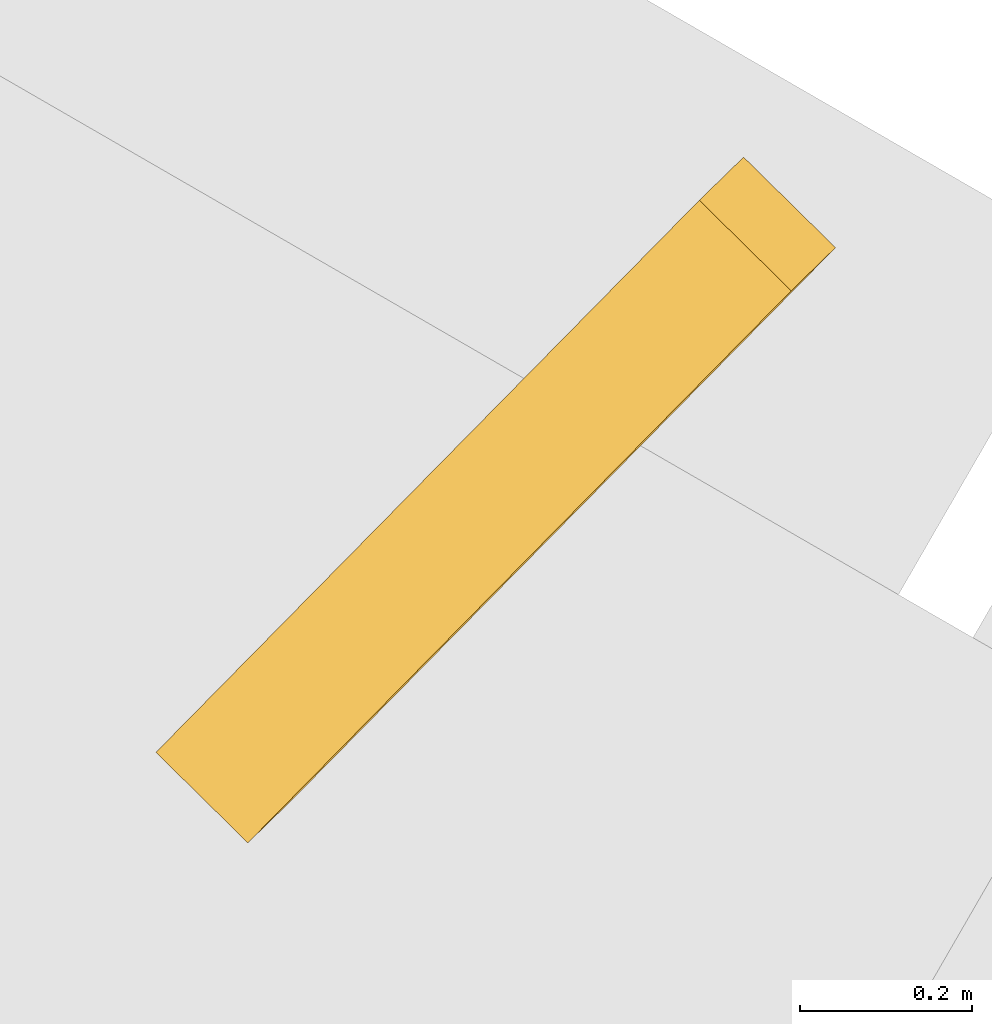
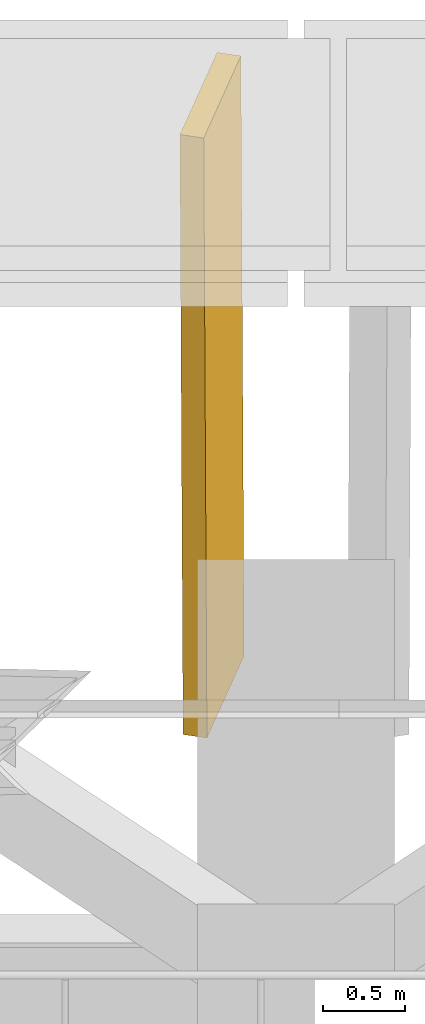
# One storey, part 16 of 16: 1 shading device.
"""IFC4 building model written with IfcOpenShell, lengths in metres."""

from ifc_helpers import new_model, si_unit, direction, frame, origin, place, context, subcontext, project, spatial, polyline, outline, extrude, material, layer, layer_set, type_object, element, save


model = new_model("IFC4")

# Units and contexts
model_context = context("Model", 3, precision=1e-05, world=origin(), true_north=direction((0.0, 1.0)))
body_context = subcontext(model_context, "Body", "Model", "MODEL_VIEW")
ifc_project = project(units=[si_unit("LENGTHUNIT", "METRE"), si_unit("AREAUNIT", "SQUARE_METRE"), si_unit("VOLUMEUNIT", "CUBIC_METRE"), si_unit("PLANEANGLEUNIT", "RADIAN"), si_unit("MASSUNIT", "GRAM", prefix="KILO")], contexts=[model_context])

# Site, building, storey
site_placement = place(None, origin())
site = spatial("IfcSite", under=ifc_project, at=site_placement, CompositionType="ELEMENT")
building_placement = place(site_placement, origin())
building = spatial("IfcBuilding", under=site, at=building_placement, Name="Ayvan Gate Tower", CompositionType="ELEMENT")
storey_placement = place(building_placement, frame((0.0, 0.0, 78.300048828125)))
storey = spatial("IfcBuildingStorey", under=building, at=storey_placement, Name="L20", CompositionType="ELEMENT", Elevation=78.300048828125)

# Shading device
ifc_material = material(Name="Bronze anodised aluminium", Category="aluminium")
ifc_layer = layer(ifc_material, 0.14990234375)
ifc_layer_set = layer_set([ifc_layer], Name="Bronze anodised aluminium")
shading_device_type = type_object("IfcShadingDeviceType", Name="Bronze fin 900 x 150", PredefinedType="USERDEFINED", material=ifc_layer_set)
shading_device_placement = place(storey_placement, frame((9.236572265625, 21.409912109375, 0.0), z_axis=(0.712712804108, -0.701455874947, 0.000338173794), x_axis=(0.701455915065, 0.712712844854, -3.2175e-08)))
element("IfcShadingDevice", 1, at=shading_device_placement, inside=storey, type_object=shading_device_type, Name="Bronze fin FG06.11.90", ObjectType="FIN", PredefinedType="USERDEFINED", context=body_context, shape_type="SweptSolid", body=[
    extrude(outline(polyline([(0.0, 0.0), (0.8999662206519434, 2.710505431213761e-20), (0.8281610633445476, 4.50000028395986), (-0.0719791594667841, 4.500000226040685), (0.0, 0.0)])), origin(), (0.0, 0.0, -1.0), 0.14990234375),
])

save(model, "model.ifc")
